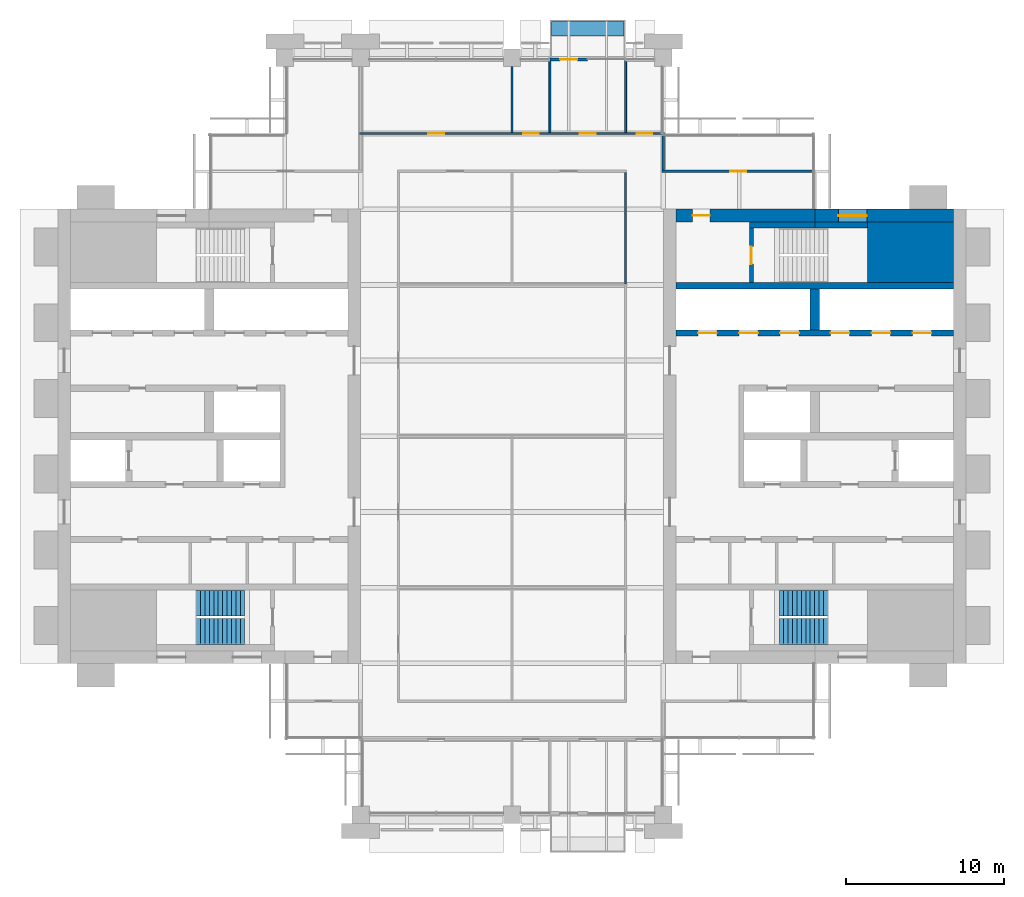
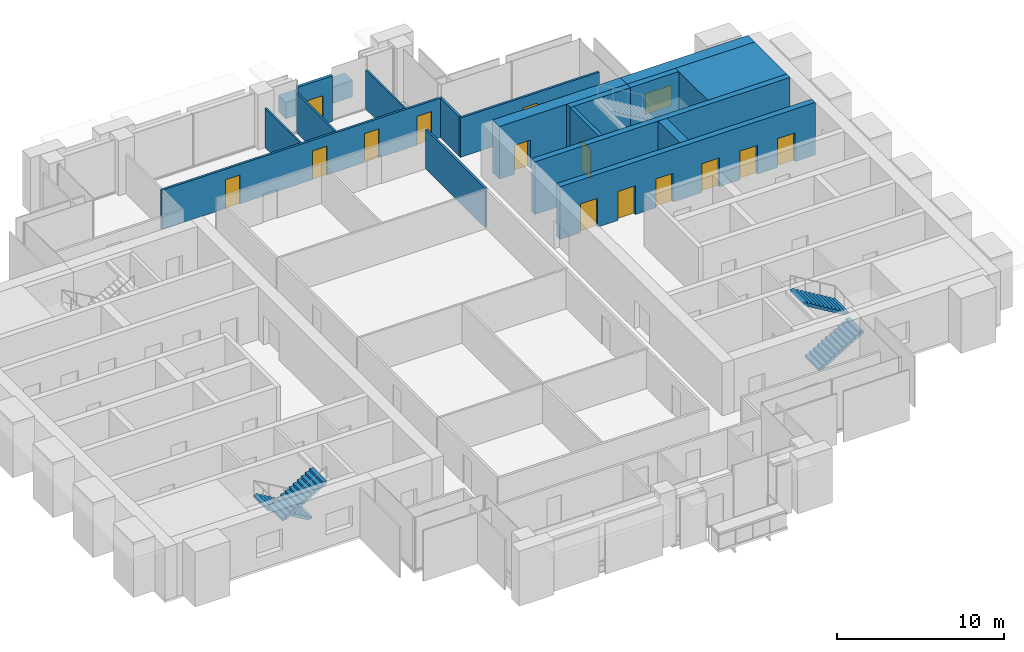
# One storey, part 11 of 14: 18 walls, 14 doors, 4 stair flights, 1 window, 15 openings, 2 elements without a shape of their own.
"""IFC4 building model written with IfcOpenShell, lengths in metres."""

from ifc_helpers import new_model, si_unit, direction, frame, frame_2d, origin, place, context, subcontext, project, spatial, polyline, rectangle, outline, extrude, material, layer, layer_set, type_object, element, fill, aggregate, save


model = new_model("IFC4")

# Units and contexts
model_context = context("Model", 3, precision=1e-05, world=origin(), true_north=direction((0.0, 1.0)))
body_context = subcontext(model_context, "Body", "Model", "MODEL_VIEW")
ifc_project = project(units=[si_unit("LENGTHUNIT", "METRE"), si_unit("AREAUNIT", "SQUARE_METRE"), si_unit("VOLUMEUNIT", "CUBIC_METRE"), si_unit("PLANEANGLEUNIT", "RADIAN"), si_unit("MASSUNIT", "GRAM", prefix="KILO")], contexts=[model_context])

# Site, building, storey
site_placement = place(None, origin())
site = spatial("IfcSite", under=ifc_project, at=site_placement, CompositionType="ELEMENT")
building_placement = place(site_placement, origin())
building = spatial("IfcBuilding", under=site, at=building_placement, Name="Baori Bourse Tower", CompositionType="ELEMENT")
storey_placement = place(building_placement, frame((0.0, 0.0, 221.199951171875)))
storey = spatial("IfcBuildingStorey", under=building, at=storey_placement, Name="L48", CompositionType="ELEMENT", Elevation=221.199951171875)

# Wall
ifc_material_1 = material(Name="Concrete f'c 50 MPa", Category="concrete")
wall_type_1 = type_object("IfcWallType", Name="Core corner block f'c 50", PredefinedType="SHEAR", material=ifc_material_1)
wall_1_placement = place(storey_placement, frame((51.35009765625, 35.675048828125, 0.0), z_axis=(0.0, 0.0, 1.0), x_axis=(1.0, 0.0, 0.0)))
element("IfcWall", 1, at=wall_1_placement, inside=storey, type_object=wall_type_1, Name="Core wall E24", PredefinedType="SHEAR", context=body_context, shape_type="SweptSolid", body=[
    extrude(rectangle(XDim=5.449951171875, YDim=3.85009765625, at=frame_2d((2.72509765625, 0.0))), origin(), (0.0, 0.0, 1.0), 3.840087890625),
])

# Wall, opening, window
ifc_material_2 = material(Name="Concrete f'c 50 MPa", Category="concrete")
ifc_layer_1 = layer(ifc_material_2, 0.800048828125)
ifc_layer_set_1 = layer_set([ifc_layer_1], Name="Core wall 800 f'c 50")
wall_type_2 = type_object("IfcWallType", Name="Core wall 800 f'c 50", PredefinedType="SHEAR", material=ifc_layer_set_1)
wall_2_placement = place(storey_placement, frame((48.0, 38.0, 0.0), z_axis=(0.0, 0.0, 1.0), x_axis=(1.0, 0.0, 0.0)))
wall_2 = element("IfcWall", 2, at=wall_2_placement, inside=storey, type_object=wall_type_2, Name="Core wall E28", PredefinedType="SHEAR", context=body_context, shape_type="SweptSolid", body=[
    extrude(rectangle(XDim=8.800048828125, YDim=0.800048828125, at=frame_2d((4.39990234375, 0.0))), origin(), (0.0, 0.0, 1.0), 3.840087890625),
])
opening_1_placement = place(wall_2_placement, frame((1.5, 0.0, 0.89990234375)))
opening_1 = element("IfcOpeningElement", 3, at=opening_1_placement, cuts=wall_2, Name="Opening L48-KW204", PredefinedType="OPENING", context=body_context, shape_type="SweptSolid", body=[
    extrude(rectangle(XDim=1.800048828125, YDim=1.5, at=frame_2d((0.89990234375, 0.75))), frame((0.0, 0.409912109375, 0.0), z_axis=(0.0, -1.0, 0.0), x_axis=(1.0, 0.0, 0.0)), (0.0, 0.0, 1.0), 0.820068359375),
])
ifc_material_3 = material(Name="Pale anodised aluminium", Category="aluminium")
window_type = type_object("IfcWindowType", Name="Stair window 1800 x 1500", PartitioningType="SINGLE_PANEL", PredefinedType="WINDOW", material=ifc_material_3)
window_placement = place(opening_1_placement, origin())
window = element("IfcWindow", 4, at=window_placement, inside=storey, type_object=window_type, Name="Stair window E L48 4", OverallHeight=1.5, OverallWidth=1.800048828125, PartitioningType="SINGLE_PANEL", PredefinedType="WINDOW", context=body_context, shape_type="SweptSolid", body=[
    extrude(rectangle(XDim=1.800048828125, YDim=1.5, at=frame_2d((0.89990234375, 0.75))), frame((0.0, 0.030029296875, 0.0), z_axis=(0.0, -1.0, 0.0), x_axis=(1.0, 0.0, 0.0)), (0.0, 0.0, 1.0), 0.06005859375),
])
fill(opening_1, window)

# Wall, opening, door
wall_3_placement = place(storey_placement, frame((39.199951171875, 38.0, 0.0), z_axis=(0.0, 0.0, 1.0), x_axis=(1.0, 0.0, 0.0)))
wall_3 = element("IfcWall", 5, at=wall_3_placement, inside=storey, type_object=wall_type_2, Name="Core wall E29", PredefinedType="SHEAR", context=body_context, shape_type="SweptSolid", body=[
    extrude(rectangle(XDim=8.800048828125, YDim=0.800048828125, at=frame_2d((4.39990234375, 0.0))), origin(), (0.0, 0.0, 1.0), 3.840087890625),
])
opening_2_placement = place(wall_3_placement, frame((1.050048828125, 0.0, 0.0)))
opening_2 = element("IfcOpeningElement", 6, at=opening_2_placement, cuts=wall_3, Name="Opening L48-D204", PredefinedType="OPENING", context=body_context, shape_type="SweptSolid", body=[
    extrude(rectangle(XDim=1.10009765625, YDim=2.10009765625, at=frame_2d((0.550048828125, 1.050048828125))), frame((0.0, 0.409912109375, 0.0), z_axis=(0.0, -1.0, 0.0), x_axis=(1.0, 0.0, 0.0)), (0.0, 0.0, 1.0), 0.820068359375),
])
ifc_material_4 = material(Name="Painted steel door", Category="steel")
door_type_1 = type_object("IfcDoorType", Name="Stair door 1100", OperationType="SINGLE_SWING_LEFT", PredefinedType="DOOR", material=ifc_material_4)
door_1_placement = place(opening_2_placement, origin())
door_1 = element("IfcDoor", 7, at=door_1_placement, inside=storey, type_object=door_type_1, Name="Stair vestibule door B E L48", OperationType="SINGLE_SWING_LEFT", OverallHeight=2.10009765625, OverallWidth=1.10009765625, PredefinedType="DOOR", context=body_context, shape_type="SweptSolid", body=[
    extrude(rectangle(XDim=1.10009765625, YDim=2.10009765625, at=frame_2d((0.550048828125, 1.050048828125))), frame((0.0, 0.02490234375, 0.0), z_axis=(0.0, -1.0, 0.0), x_axis=(1.0, 0.0, 0.0)), (0.0, 0.0, 1.0), 0.050048828125),
])
fill(opening_2, door_1)

ifc_material_5 = material(Name="Gypsum board partition")
ifc_layer_2 = layer(ifc_material_5, 0.14990234375)
ifc_layer_set_2 = layer_set([ifc_layer_2], Name="Corridor partition 150")
wall_type_3 = type_object("IfcWallType", Name="Corridor partition 150", PredefinedType="PARTITIONING", material=ifc_layer_set_2)
wall_4_placement = place(storey_placement, frame((38.324951171875, 40.800048828125, 0.0), z_axis=(0.0, 0.0, 1.0), x_axis=(1.0, 0.0, 0.0)))
wall_4 = element("IfcWall", 8, at=wall_4_placement, inside=storey, type_object=wall_type_3, Name="Partition", PredefinedType="PARTITIONING", context=body_context, shape_type="SweptSolid", body=[
    extrude(rectangle(XDim=9.574951171875, YDim=0.14990234375, at=frame_2d((4.78759765625, 0.0))), origin(), (0.0, 0.0, 1.0), 2.869873046875),
])
opening_3_placement = place(wall_4_placement, frame((4.324951171875, 0.0, 0.0)))
opening_3 = element("IfcOpeningElement", 9, at=opening_3_placement, cuts=wall_4, Name="Opening L48-D10", PredefinedType="OPENING", context=body_context, shape_type="SweptSolid", body=[
    extrude(rectangle(XDim=1.0, YDim=2.10009765625, at=frame_2d((0.5, 1.050048828125))), frame((0.0, 0.0849609375, 0.0), z_axis=(0.0, -1.0, 0.0), x_axis=(1.0, 0.0, 0.0)), (0.0, 0.0, 1.0), 0.169921875),
])
ifc_material_6 = material(Name="Timber door leaf", Category="wood")
door_type_2 = type_object("IfcDoorType", Name="Door 1000 x 2100", OperationType="SINGLE_SWING_LEFT", PredefinedType="DOOR", material=ifc_material_6)
door_2_placement = place(opening_3_placement, origin())
door_2 = element("IfcDoor", 10, at=door_2_placement, inside=storey, type_object=door_type_2, Name="Door", OperationType="SINGLE_SWING_LEFT", OverallHeight=2.10009765625, OverallWidth=1.0, PredefinedType="DOOR", context=body_context, shape_type="SweptSolid", body=[
    extrude(rectangle(XDim=1.0, YDim=2.10009765625, at=frame_2d((0.5, 1.050048828125))), frame((0.0, 0.02490234375, 0.0), z_axis=(0.0, -1.0, 0.0), x_axis=(1.0, 0.0, 0.0)), (0.0, 0.0, 1.0), 0.050048828125),
])
fill(opening_3, door_2)

# Wall, openings, doors
wall_5_placement = place(storey_placement, frame((19.125, 43.199951171875, 0.0), z_axis=(0.0, 0.0, 1.0), x_axis=(1.0, 0.0, 0.0)))
wall_5 = element("IfcWall", 11, at=wall_5_placement, inside=storey, type_object=wall_type_3, Name="Partition", PredefinedType="PARTITIONING", context=body_context, shape_type="SweptSolid", body=[
    extrude(rectangle(XDim=19.35009765625, YDim=0.14990234375, at=frame_2d((9.675048828125, 0.0))), origin(), (0.0, 0.0, 1.0), 2.869873046875),
])
opening_4_placement = place(wall_5_placement, frame((4.375, 0.0, 0.0)))
opening_4 = element("IfcOpeningElement", 12, at=opening_4_placement, cuts=wall_5, Name="Opening L48-D11", PredefinedType="OPENING", context=body_context, shape_type="SweptSolid", body=[
    extrude(rectangle(XDim=1.0, YDim=2.10009765625, at=frame_2d((0.5, 1.050048828125))), frame((0.0, 0.0849609375, 0.0), z_axis=(0.0, -1.0, 0.0), x_axis=(1.0, 0.0, 0.0)), (0.0, 0.0, 1.0), 0.169921875),
])
opening_5_placement = place(wall_5_placement, frame((10.375, 0.0, 0.0)))
opening_5 = element("IfcOpeningElement", 13, at=opening_5_placement, cuts=wall_5, Name="Opening L48-D12", PredefinedType="OPENING", context=body_context, shape_type="SweptSolid", body=[
    extrude(rectangle(XDim=1.0, YDim=2.10009765625, at=frame_2d((0.5, 1.050048828125))), frame((0.0, 0.0849609375, 0.0), z_axis=(0.0, -1.0, 0.0), x_axis=(1.0, 0.0, 0.0)), (0.0, 0.0, 1.0), 0.169921875),
])
opening_6_placement = place(wall_5_placement, frame((13.97509765625, 0.0, 0.0)))
opening_6 = element("IfcOpeningElement", 14, at=opening_6_placement, cuts=wall_5, Name="Opening L48-D13", PredefinedType="OPENING", context=body_context, shape_type="SweptSolid", body=[
    extrude(rectangle(XDim=1.0, YDim=2.10009765625, at=frame_2d((0.5, 1.050048828125))), frame((0.0, 0.0849609375, 0.0), z_axis=(0.0, -1.0, 0.0), x_axis=(1.0, 0.0, 0.0)), (0.0, 0.0, 1.0), 0.169921875),
])
opening_7_placement = place(wall_5_placement, frame((17.574951171875, 0.0, 0.0)))
opening_7 = element("IfcOpeningElement", 15, at=opening_7_placement, cuts=wall_5, Name="Opening L48-D14", PredefinedType="OPENING", context=body_context, shape_type="SweptSolid", body=[
    extrude(rectangle(XDim=1.0, YDim=2.10009765625, at=frame_2d((0.5, 1.050048828125))), frame((0.0, 0.0849609375, 0.0), z_axis=(0.0, -1.0, 0.0), x_axis=(1.0, 0.0, 0.0)), (0.0, 0.0, 1.0), 0.169921875),
])
door_3_placement = place(opening_4_placement, origin())
door_3 = element("IfcDoor", 16, at=door_3_placement, inside=storey, type_object=door_type_2, Name="Door", OperationType="SINGLE_SWING_RIGHT", OverallHeight=2.10009765625, OverallWidth=1.0, PredefinedType="DOOR", context=body_context, shape_type="SweptSolid", body=[
    extrude(rectangle(XDim=1.0, YDim=2.10009765625, at=frame_2d((0.5, 1.050048828125))), frame((0.0, 0.02490234375, 0.0), z_axis=(0.0, -1.0, 0.0), x_axis=(1.0, 0.0, 0.0)), (0.0, 0.0, 1.0), 0.050048828125),
])
fill(opening_4, door_3)
door_4_placement = place(opening_5_placement, origin())
door_4 = element("IfcDoor", 17, at=door_4_placement, inside=storey, type_object=door_type_2, Name="Door", OperationType="SINGLE_SWING_LEFT", OverallHeight=2.10009765625, OverallWidth=1.0, PredefinedType="DOOR", context=body_context, shape_type="SweptSolid", body=[
    extrude(rectangle(XDim=1.0, YDim=2.10009765625, at=frame_2d((0.5, 1.050048828125))), frame((0.0, 0.02490234375, 0.0), z_axis=(0.0, -1.0, 0.0), x_axis=(1.0, 0.0, 0.0)), (0.0, 0.0, 1.0), 0.050048828125),
])
fill(opening_5, door_4)
door_5_placement = place(opening_6_placement, origin())
door_5 = element("IfcDoor", 18, at=door_5_placement, inside=storey, type_object=door_type_2, Name="Door", OperationType="SINGLE_SWING_LEFT", OverallHeight=2.10009765625, OverallWidth=1.0, PredefinedType="DOOR", context=body_context, shape_type="SweptSolid", body=[
    extrude(rectangle(XDim=1.0, YDim=2.10009765625, at=frame_2d((0.5, 1.050048828125))), frame((0.0, 0.02490234375, 0.0), z_axis=(0.0, -1.0, 0.0), x_axis=(1.0, 0.0, 0.0)), (0.0, 0.0, 1.0), 0.050048828125),
])
fill(opening_6, door_5)
door_6_placement = place(opening_7_placement, origin())
door_6 = element("IfcDoor", 19, at=door_6_placement, inside=storey, type_object=door_type_2, Name="Door", OperationType="SINGLE_SWING_LEFT", OverallHeight=2.10009765625, OverallWidth=1.0, PredefinedType="DOOR", context=body_context, shape_type="SweptSolid", body=[
    extrude(rectangle(XDim=1.0, YDim=2.10009765625, at=frame_2d((0.5, 1.050048828125))), frame((0.0, 0.02490234375, 0.0), z_axis=(0.0, -1.0, 0.0), x_axis=(1.0, 0.0, 0.0)), (0.0, 0.0, 1.0), 0.050048828125),
])
fill(opening_7, door_6)

# Walls
wall_6_placement = place(storey_placement, frame((36.0, 33.66259765625, 0.0), z_axis=(0.0, 0.0, 1.0), x_axis=(0.0, 1.0, 0.0)))
element("IfcWall", 20, at=wall_6_placement, inside=storey, type_object=wall_type_3, Name="Partition", PredefinedType="PARTITIONING", context=body_context, shape_type="SweptSolid", body=[
    extrude(rectangle(XDim=7.0625, YDim=0.14990234375, at=frame_2d((3.53125, 0.0))), origin(), (0.0, 0.0, 1.0), 2.869873046875),
])
wall_7_placement = place(storey_placement, frame((38.39990234375, 40.875, 0.0), z_axis=(0.0, 0.0, 1.0), x_axis=(0.0, 1.0, 0.0)))
element("IfcWall", 21, at=wall_7_placement, inside=storey, type_object=wall_type_3, Name="Partition", PredefinedType="PARTITIONING", context=body_context, shape_type="SweptSolid", body=[
    extrude(rectangle(XDim=2.25, YDim=0.14990234375, at=frame_2d((1.125, 0.0))), origin(), (0.0, 0.0, 1.0), 2.869873046875),
])

# Wall, opening, door
ifc_material_7 = material(Name="Pale anodised aluminium", Category="aluminium")
ifc_layer_3 = layer(ifc_material_7, 0.199951171875)
ifc_layer_set_3 = layer_set([ifc_layer_3], Name="EW1 External wall bay")
wall_type_4 = type_object("IfcWallType", Name="EW1 External wall bay", PredefinedType="SOLIDWALL", material=ifc_layer_set_3)
wall_8_placement = place(storey_placement, frame((33.60009765625, 47.89990234375, 0.0), z_axis=(0.0, 0.0, 1.0), x_axis=(-1.0, 0.0, 0.0)))
wall_8 = element("IfcWall", 22, at=wall_8_placement, inside=storey, type_object=wall_type_4, Name="External wall bay L48 1", PredefinedType="SOLIDWALL", context=body_context, shape_type="SweptSolid", body=[
    extrude(rectangle(XDim=2.400146484375, YDim=0.199951171875, at=frame_2d((1.2001953125, 0.0))), origin(), (0.0, 0.0, 1.0), 3.314208984375),
])
opening_8_placement = place(wall_8_placement, frame((0.64990234375, 0.0, 0.0)))
opening_8 = element("IfcOpeningElement", 23, at=opening_8_placement, cuts=wall_8, Name="Opening L48-D91", PredefinedType="OPENING", context=body_context, shape_type="SweptSolid", body=[
    extrude(rectangle(XDim=1.10009765625, YDim=2.10009765625, at=frame_2d((0.550048828125, 1.050048828125))), frame((0.0, 0.10986328125, 0.0), z_axis=(0.0, -1.0, 0.0), x_axis=(1.0, 0.0, 0.0)), (0.0, 0.0, 1.0), 0.219970703125),
])
ifc_material_8 = material(Name="Pale anodised aluminium", Category="aluminium")
door_type_3 = type_object("IfcDoorType", Name="BL1 Balcony door", OperationType="SINGLE_SWING_LEFT", PredefinedType="DOOR", material=ifc_material_8)
door_7_placement = place(opening_8_placement, origin())
door_7 = element("IfcDoor", 24, at=door_7_placement, inside=storey, type_object=door_type_3, Name="Balcony door L48 1", OperationType="SINGLE_SWING_LEFT", OverallHeight=2.10009765625, OverallWidth=1.10009765625, PredefinedType="DOOR", context=body_context, shape_type="SweptSolid", body=[
    extrude(rectangle(XDim=1.10009765625, YDim=2.10009765625, at=frame_2d((0.550048828125, 1.050048828125))), frame((0.0, 0.02490234375, 0.0), z_axis=(0.0, -1.0, 0.0), x_axis=(1.0, 0.0, 0.0)), (0.0, 0.0, 1.0), 0.050048828125),
])
fill(opening_8, door_7)

# Walls
ifc_material_9 = material(Name="Concrete f'c 40 MPa", Category="concrete")
ifc_layer_4 = layer(ifc_material_9, 0.89990234375)
ifc_layer_set_4 = layer_set([ifc_layer_4], Name="PW1 Planter wall")
wall_type_5 = type_object("IfcWallType", Name="PW1 Planter wall", PredefinedType="USERDEFINED", material=ifc_layer_set_4)
wall_9_placement = place(storey_placement, frame((31.300048828125, 49.85009765625, 0.0), z_axis=(0.0, 0.0, 1.0), x_axis=(1.0, 0.0, 0.0)))
element("IfcWall", 25, at=wall_9_placement, inside=storey, type_object=wall_type_5, Name="Planter balcony N L48 2", ObjectType="PLANTER", PredefinedType="USERDEFINED", context=body_context, shape_type="SweptSolid", body=[
    extrude(rectangle(XDim=4.599853515625, YDim=0.89990234375, at=frame_2d((2.2998046875, 0.0))), origin(), (0.0, 0.0, 1.0), 1.199951171875),
])
ifc_material_10 = material(Name="Gypsum board partition")
ifc_layer_5 = layer(ifc_material_10, 0.125)
ifc_layer_set_5 = layer_set([ifc_layer_5], Name="Partition 125")
wall_type_6 = type_object("IfcWallType", Name="Partition 125", PredefinedType="PARTITIONING", material=ifc_layer_set_5)
wall_10_placement = place(storey_placement, frame((28.800048828125, 43.27490234375, 0.0), z_axis=(0.0, 0.0, 1.0), x_axis=(0.0, 1.0, 0.0)))
element("IfcWall", 26, at=wall_10_placement, inside=storey, type_object=wall_type_6, Name="Partition", PredefinedType="PARTITIONING", context=body_context, shape_type="SweptSolid", body=[
    extrude(rectangle(XDim=4.175048828125, YDim=0.125, at=frame_2d((2.08740234375, 0.0))), origin(), (0.0, 0.0, 1.0), 2.869873046875),
])
for number, where, z_axis, x_axis, name in (
    (27, (31.199951171875, 43.27490234375, 0.0), (0.0, 0.0, 1.0), (0.0, 1.0, 0.0), "Partition"),
    (28, (36.0, 43.27490234375, 0.0), (0.0, 0.0, 1.0), (0.0, 1.0, 0.0), "Partition"),
):
    element("IfcWall", number, at=place(storey_placement, frame(where, z_axis=z_axis, x_axis=x_axis)), inside=storey, type_object=wall_type_6, Name=name, PredefinedType="PARTITIONING", context=body_context, shape_type="SweptSolid", body=[
        extrude(rectangle(XDim=4.625, YDim=0.125, at=frame_2d((2.3125, 0.0))), origin(), (0.0, 0.0, 1.0), 2.869873046875),
    ])

# Wall, opening, door
ifc_material_11 = material(Name="Concrete f'c 50 MPa", Category="concrete")
ifc_layer_6 = layer(ifc_material_11, 0.25)
ifc_layer_set_6 = layer_set([ifc_layer_6], Name="Shaft wall 250 f'c 50")
wall_type_7 = type_object("IfcWallType", Name="Shaft wall 250 f'c 50", PredefinedType="SHEAR", material=ifc_layer_set_6)
wall_11_placement = place(storey_placement, frame((43.97509765625, 33.75, 0.0), z_axis=(0.0, 0.0, 1.0), x_axis=(0.0, 1.0, 0.0)))
wall_11 = element("IfcWall", 29, at=wall_11_placement, inside=storey, type_object=wall_type_7, Name="Core wall E25", PredefinedType="SHEAR", context=body_context, shape_type="SweptSolid", body=[
    extrude(rectangle(XDim=3.449951171875, YDim=0.25, at=frame_2d((1.72509765625, 0.0))), origin(), (0.0, 0.0, 1.0), 3.840087890625),
])
opening_9_placement = place(wall_11_placement, frame((1.175048828125, 0.0, 0.0)))
opening_9 = element("IfcOpeningElement", 30, at=opening_9_placement, cuts=wall_11, Name="Opening L48-D203", PredefinedType="OPENING", context=body_context, shape_type="SweptSolid", body=[
    extrude(rectangle(XDim=1.10009765625, YDim=2.10009765625, at=frame_2d((0.550048828125, 1.050048828125))), frame((0.0, 0.135009765625, 0.0), z_axis=(0.0, -1.0, 0.0), x_axis=(1.0, 0.0, 0.0)), (0.0, 0.0, 1.0), 0.27001953125),
])
door_8_placement = place(opening_9_placement, origin())
door_8 = element("IfcDoor", 31, at=door_8_placement, inside=storey, type_object=door_type_1, Name="Stair door B E L48", OperationType="SINGLE_SWING_LEFT", OverallHeight=2.10009765625, OverallWidth=1.10009765625, PredefinedType="DOOR", context=body_context, shape_type="SweptSolid", body=[
    extrude(rectangle(XDim=1.10009765625, YDim=2.10009765625, at=frame_2d((0.550048828125, 1.050048828125))), frame((0.0, 0.02490234375, 0.0), z_axis=(0.0, -1.0, 0.0), x_axis=(1.0, 0.0, 0.0)), (0.0, 0.0, 1.0), 0.050048828125),
])
fill(opening_9, door_8)

# Wall, openings, doors
ifc_material_12 = material(Name="Concrete f'c 50 MPa", Category="concrete")
ifc_layer_7 = layer(ifc_material_12, 0.39990234375)
ifc_layer_set_7 = layer_set([ifc_layer_7], Name="Shaft wall 400 f'c 50")
wall_type_8 = type_object("IfcWallType", Name="Shaft wall 400 f'c 50", PredefinedType="SHEAR", material=ifc_layer_set_7)
wall_12_placement = place(storey_placement, frame((39.199951171875, 30.550048828125, 0.0), z_axis=(0.0, 0.0, 1.0), x_axis=(1.0, 0.0, 0.0)))
wall_12 = element("IfcWall", 32, at=wall_12_placement, inside=storey, type_object=wall_type_8, Name="Core wall E21", PredefinedType="SHEAR", context=body_context, shape_type="SweptSolid", body=[
    extrude(rectangle(XDim=17.60009765625, YDim=0.39990234375, at=frame_2d((8.800048828125, 0.0))), origin(), (0.0, 0.0, 1.0), 3.840087890625),
])
opening_10_placement = place(wall_12_placement, frame((15.0, 0.0, 0.0)))
opening_10 = element("IfcOpeningElement", 33, at=opening_10_placement, cuts=wall_12, Name="Opening L48-D214", PredefinedType="OPENING", context=body_context, shape_type="SweptSolid", body=[
    extrude(rectangle(XDim=1.199951171875, YDim=2.10009765625, at=frame_2d((0.60009765625, 1.050048828125))), frame((0.0, 0.2099609375, 0.0), z_axis=(0.0, -1.0, 0.0), x_axis=(1.0, 0.0, 0.0)), (0.0, 0.0, 1.0), 0.419921875),
])
opening_11_placement = place(wall_12_placement, frame((12.39990234375, 0.0, 0.0)))
opening_11 = element("IfcOpeningElement", 34, at=opening_11_placement, cuts=wall_12, Name="Opening L48-D215", PredefinedType="OPENING", context=body_context, shape_type="SweptSolid", body=[
    extrude(rectangle(XDim=1.199951171875, YDim=2.10009765625, at=frame_2d((0.60009765625, 1.050048828125))), frame((0.0, 0.2099609375, 0.0), z_axis=(0.0, -1.0, 0.0), x_axis=(1.0, 0.0, 0.0)), (0.0, 0.0, 1.0), 0.419921875),
])
opening_12_placement = place(wall_12_placement, frame((9.800048828125, 0.0, 0.0)))
opening_12 = element("IfcOpeningElement", 35, at=opening_12_placement, cuts=wall_12, Name="Opening L48-D216", PredefinedType="OPENING", context=body_context, shape_type="SweptSolid", body=[
    extrude(rectangle(XDim=1.199951171875, YDim=2.10009765625, at=frame_2d((0.60009765625, 1.050048828125))), frame((0.0, 0.2099609375, 0.0), z_axis=(0.0, -1.0, 0.0), x_axis=(1.0, 0.0, 0.0)), (0.0, 0.0, 1.0), 0.419921875),
])
opening_13_placement = place(wall_12_placement, frame((6.60009765625, 0.0, 0.0)))
opening_13 = element("IfcOpeningElement", 36, at=opening_13_placement, cuts=wall_12, Name="Opening L48-D217", PredefinedType="OPENING", context=body_context, shape_type="SweptSolid", body=[
    extrude(rectangle(XDim=1.199951171875, YDim=2.10009765625, at=frame_2d((0.60009765625, 1.050048828125))), frame((0.0, 0.2099609375, 0.0), z_axis=(0.0, -1.0, 0.0), x_axis=(1.0, 0.0, 0.0)), (0.0, 0.0, 1.0), 0.419921875),
])
opening_14_placement = place(wall_12_placement, frame((4.0, 0.0, 0.0)))
opening_14 = element("IfcOpeningElement", 37, at=opening_14_placement, cuts=wall_12, Name="Opening L48-D218", PredefinedType="OPENING", context=body_context, shape_type="SweptSolid", body=[
    extrude(rectangle(XDim=1.199951171875, YDim=2.10009765625, at=frame_2d((0.60009765625, 1.050048828125))), frame((0.0, 0.2099609375, 0.0), z_axis=(0.0, -1.0, 0.0), x_axis=(1.0, 0.0, 0.0)), (0.0, 0.0, 1.0), 0.419921875),
])
opening_15_placement = place(wall_12_placement, frame((1.39990234375, 0.0, 0.0)))
opening_15 = element("IfcOpeningElement", 38, at=opening_15_placement, cuts=wall_12, Name="Opening L48-D219", PredefinedType="OPENING", context=body_context, shape_type="SweptSolid", body=[
    extrude(rectangle(XDim=1.199951171875, YDim=2.10009765625, at=frame_2d((0.60009765625, 1.050048828125))), frame((0.0, 0.2099609375, 0.0), z_axis=(0.0, -1.0, 0.0), x_axis=(1.0, 0.0, 0.0)), (0.0, 0.0, 1.0), 0.419921875),
])
ifc_material_13 = material(Name="Stainless steel door", Category="steel")
door_type_4 = type_object("IfcDoorType", Name="Lift landing door", OperationType="DOUBLE_DOOR_SLIDING", PredefinedType="DOOR", material=ifc_material_13)
door_9_placement = place(opening_10_placement, origin())
door_9 = element("IfcDoor", 39, at=door_9_placement, inside=storey, type_object=door_type_4, Name="Lift landing door HR1 E L48", OperationType="DOUBLE_DOOR_SLIDING", OverallHeight=2.10009765625, OverallWidth=1.199951171875, PredefinedType="DOOR", context=body_context, shape_type="SweptSolid", body=[
    extrude(rectangle(XDim=1.199951171875, YDim=2.10009765625, at=frame_2d((0.60009765625, 1.050048828125))), frame((0.0, 0.02490234375, 0.0), z_axis=(0.0, -1.0, 0.0), x_axis=(1.0, 0.0, 0.0)), (0.0, 0.0, 1.0), 0.050048828125),
])
fill(opening_10, door_9)
door_10_placement = place(opening_11_placement, origin())
door_10 = element("IfcDoor", 40, at=door_10_placement, inside=storey, type_object=door_type_4, Name="Lift landing door HR2 E L48", OperationType="DOUBLE_DOOR_SLIDING", OverallHeight=2.10009765625, OverallWidth=1.199951171875, PredefinedType="DOOR", context=body_context, shape_type="SweptSolid", body=[
    extrude(rectangle(XDim=1.199951171875, YDim=2.10009765625, at=frame_2d((0.60009765625, 1.050048828125))), frame((0.0, 0.02490234375, 0.0), z_axis=(0.0, -1.0, 0.0), x_axis=(1.0, 0.0, 0.0)), (0.0, 0.0, 1.0), 0.050048828125),
])
fill(opening_11, door_10)
door_11_placement = place(opening_12_placement, origin())
door_11 = element("IfcDoor", 41, at=door_11_placement, inside=storey, type_object=door_type_4, Name="Lift landing door HR3 E L48", OperationType="DOUBLE_DOOR_SLIDING", OverallHeight=2.10009765625, OverallWidth=1.199951171875, PredefinedType="DOOR", context=body_context, shape_type="SweptSolid", body=[
    extrude(rectangle(XDim=1.199951171875, YDim=2.10009765625, at=frame_2d((0.60009765625, 1.050048828125))), frame((0.0, 0.02490234375, 0.0), z_axis=(0.0, -1.0, 0.0), x_axis=(1.0, 0.0, 0.0)), (0.0, 0.0, 1.0), 0.050048828125),
])
fill(opening_12, door_11)
door_12_placement = place(opening_13_placement, origin())
door_12 = element("IfcDoor", 42, at=door_12_placement, inside=storey, type_object=door_type_4, Name="Lift landing door HR4 E L48", OperationType="DOUBLE_DOOR_SLIDING", OverallHeight=2.10009765625, OverallWidth=1.199951171875, PredefinedType="DOOR", context=body_context, shape_type="SweptSolid", body=[
    extrude(rectangle(XDim=1.199951171875, YDim=2.10009765625, at=frame_2d((0.60009765625, 1.050048828125))), frame((0.0, 0.02490234375, 0.0), z_axis=(0.0, -1.0, 0.0), x_axis=(1.0, 0.0, 0.0)), (0.0, 0.0, 1.0), 0.050048828125),
])
fill(opening_13, door_12)
door_13_placement = place(opening_14_placement, origin())
door_13 = element("IfcDoor", 43, at=door_13_placement, inside=storey, type_object=door_type_4, Name="Lift landing door HR5 E L48", OperationType="DOUBLE_DOOR_SLIDING", OverallHeight=2.10009765625, OverallWidth=1.199951171875, PredefinedType="DOOR", context=body_context, shape_type="SweptSolid", body=[
    extrude(rectangle(XDim=1.199951171875, YDim=2.10009765625, at=frame_2d((0.60009765625, 1.050048828125))), frame((0.0, 0.02490234375, 0.0), z_axis=(0.0, -1.0, 0.0), x_axis=(1.0, 0.0, 0.0)), (0.0, 0.0, 1.0), 0.050048828125),
])
fill(opening_14, door_13)
door_14_placement = place(opening_15_placement, origin())
door_14 = element("IfcDoor", 44, at=door_14_placement, inside=storey, type_object=door_type_4, Name="Lift landing door HR6 E L48", OperationType="DOUBLE_DOOR_SLIDING", OverallHeight=2.10009765625, OverallWidth=1.199951171875, PredefinedType="DOOR", context=body_context, shape_type="SweptSolid", body=[
    extrude(rectangle(XDim=1.199951171875, YDim=2.10009765625, at=frame_2d((0.60009765625, 1.050048828125))), frame((0.0, 0.02490234375, 0.0), z_axis=(0.0, -1.0, 0.0), x_axis=(1.0, 0.0, 0.0)), (0.0, 0.0, 1.0), 0.050048828125),
])
fill(opening_15, door_14)

# Walls
wall_13_placement = place(storey_placement, frame((39.199951171875, 33.550048828125, 0.0), z_axis=(0.0, 0.0, 1.0), x_axis=(1.0, 0.0, 0.0)))
element("IfcWall", 45, at=wall_13_placement, inside=storey, type_object=wall_type_8, Name="Core wall E23", PredefinedType="SHEAR", context=body_context, shape_type="SweptSolid", body=[
    extrude(rectangle(XDim=17.60009765625, YDim=0.39990234375, at=frame_2d((8.800048828125, 0.0))), origin(), (0.0, 0.0, 1.0), 3.840087890625),
])
wall_14_placement = place(storey_placement, frame((48.0, 37.39990234375, 0.0), z_axis=(0.0, 0.0, 1.0), x_axis=(1.0, 0.0, 0.0)))
element("IfcWall", 46, at=wall_14_placement, inside=storey, type_object=wall_type_8, Name="Core wall E26", PredefinedType="SHEAR", context=body_context, shape_type="SweptSolid", body=[
    extrude(rectangle(XDim=3.35009765625, YDim=0.39990234375, at=frame_2d((1.675048828125, 0.0))), origin(), (0.0, 0.0, 1.0), 3.840087890625),
])
wall_15_placement = place(storey_placement, frame((43.85009765625, 37.39990234375, 0.0), z_axis=(0.0, 0.0, 1.0), x_axis=(1.0, 0.0, 0.0)))
element("IfcWall", 47, at=wall_15_placement, inside=storey, type_object=wall_type_8, Name="Core wall E27", PredefinedType="SHEAR", context=body_context, shape_type="SweptSolid", body=[
    extrude(rectangle(XDim=4.14990234375, YDim=0.39990234375, at=frame_2d((2.074951171875, 0.0))), origin(), (0.0, 0.0, 1.0), 3.840087890625),
])
ifc_material_14 = material(Name="Concrete f'c 50 MPa", Category="concrete")
ifc_layer_8 = layer(ifc_material_14, 0.60009765625)
ifc_layer_set_8 = layer_set([ifc_layer_8], Name="Shaft wall 600 f'c 50")
wall_type_9 = type_object("IfcWallType", Name="Shaft wall 600 f'c 50", PredefinedType="SHEAR", material=ifc_layer_set_8)
wall_16_placement = place(storey_placement, frame((48.0, 30.75, 0.0), z_axis=(0.0, 0.0, 1.0), x_axis=(0.0, 1.0, 0.0)))
element("IfcWall", 48, at=wall_16_placement, inside=storey, type_object=wall_type_9, Name="Core wall E22", PredefinedType="SHEAR", context=body_context, shape_type="SweptSolid", body=[
    extrude(rectangle(XDim=2.60009765625, YDim=0.60009765625, at=frame_2d((1.300048828125, 0.0))), origin(), (0.0, 0.0, 1.0), 3.840087890625),
])

# Stair, stair flights
ifc_material_15 = material(Name="Concrete f'c 50 MPa", Category="concrete")
stair_type = type_object("IfcStairType", Name="Core stair", PredefinedType="HALF_TURN_STAIR", material=ifc_material_15)
stair_1_placement = place(storey_placement, origin())
stair_1 = element("IfcStair", 49, at=stair_1_placement, inside=storey, type_object=stair_type, Name="L48 Stair WA", PredefinedType="HALF_TURN_STAIR")
ifc_material_16 = material(Name="Concrete f'c 50 MPa", Category="concrete")
stair_flight_type = type_object("IfcStairFlightType", Name="Core stair flight", PredefinedType="STRAIGHT", material=ifc_material_16)
stair_flight_1_placement = place(storey_placement, frame((11.85009765625, 13.425048828125, 0.0), z_axis=(0.0, 0.0, 1.0), x_axis=(-1.0, 0.0, 0.0)))
stair_flight_1 = element("IfcStairFlight", 50, at=stair_flight_1_placement, type_object=stair_flight_type, Name="ST1 flight 1", NumberOfRisers=12, NumberOfTreads=11, PredefinedType="STRAIGHT", RiserHeight=0.166666667, TreadLength=0.28, context=body_context, shape_type="SweptSolid", body=[
    extrude(outline(polyline([(0.0, 0.0), (0.0, 0.166748046875), (0.280029296875, 0.166748046875), (0.280029296875, 0.333251953125), (0.56005859375, 0.333251953125), (0.56005859375, 0.5), (0.840087890625, 0.5), (0.840087890625, 0.666748046875), (1.1201171875, 0.666748046875), (1.1201171875, 0.833251953125), (1.39990234375, 0.833251953125), (1.39990234375, 1.0), (1.679931640625, 1.0), (1.679931640625, 1.166748046875), (1.9599609375, 1.166748046875), (1.9599609375, 1.333251953125), (2.239990234375, 1.333251953125), (2.239990234375, 1.5), (2.52001953125, 1.5), (2.52001953125, 1.666748046875), (2.800048828125, 1.666748046875), (2.800048828125, 1.833251953125), (3.080078125, 1.833251953125), (3.080078125, 2.0), (3.080078125, 1.658935546875), (0.29296875, 0.0), (0.0, 0.0)])), frame((0.0, 0.824951171875, 0.0), z_axis=(0.0, -1.0, 0.0), x_axis=(1.0, 0.0, 0.0)), (0.0, 0.0, 1.0), 1.64990234375),
])
stair_flight_2_placement = place(storey_placement, frame((8.77001953125, 11.625, 2.0), z_axis=(0.0, 0.0, 1.0), x_axis=(1.0, 0.0, 0.0)))
stair_flight_2 = element("IfcStairFlight", 51, at=stair_flight_2_placement, type_object=stair_flight_type, Name="ST1 flight 2", NumberOfRisers=12, NumberOfTreads=11, PredefinedType="STRAIGHT", RiserHeight=0.166666667, TreadLength=0.28, context=body_context, shape_type="SweptSolid", body=[
    extrude(outline(polyline([(0.0, 0.0), (0.0, 0.166748046875), (0.280029296875, 0.166748046875), (0.280029296875, 0.333251953125), (0.56005859375, 0.333251953125), (0.56005859375, 0.5), (0.840087890625, 0.5), (0.840087890625, 0.666748046875), (1.1201171875, 0.666748046875), (1.1201171875, 0.833251953125), (1.39990234375, 0.833251953125), (1.39990234375, 1.0), (1.679931640625, 1.0), (1.679931640625, 1.166748046875), (1.9599609375, 1.166748046875), (1.9599609375, 1.333251953125), (2.239990234375, 1.333251953125), (2.239990234375, 1.5), (2.52001953125, 1.5), (2.52001953125, 1.666748046875), (2.800048828125, 1.666748046875), (2.800048828125, 1.833251953125), (3.080078125, 1.833251953125), (3.080078125, 2.0), (3.080078125, 1.658935546875), (0.29296875, 0.0), (0.0, 0.0)])), frame((0.0, 0.824951171875, 0.0), z_axis=(0.0, -1.0, 0.0), x_axis=(1.0, 0.0, 0.0)), (0.0, 0.0, 1.0), 1.64990234375),
])
aggregate(stair_1, [stair_flight_1, stair_flight_2])

stair_2_placement = place(storey_placement, origin())
stair_2 = element("IfcStair", 52, at=stair_2_placement, inside=storey, type_object=stair_type, Name="L48 Stair EA", PredefinedType="HALF_TURN_STAIR")
stair_flight_3_placement = place(storey_placement, frame((45.75, 11.625, 0.0), z_axis=(0.0, 0.0, 1.0), x_axis=(1.0, 0.0, 0.0)))
stair_flight_3 = element("IfcStairFlight", 53, at=stair_flight_3_placement, type_object=stair_flight_type, Name="ST3 flight 1", NumberOfRisers=12, NumberOfTreads=11, PredefinedType="STRAIGHT", RiserHeight=0.166666667, TreadLength=0.28, context=body_context, shape_type="SweptSolid", body=[
    extrude(outline(polyline([(0.0, 0.0), (0.0, 0.166748046875), (0.280029296875, 0.166748046875), (0.280029296875, 0.333251953125), (0.56005859375, 0.333251953125), (0.56005859375, 0.5), (0.840087890625, 0.5), (0.840087890625, 0.666748046875), (1.1201171875, 0.666748046875), (1.1201171875, 0.833251953125), (1.39990234375, 0.833251953125), (1.39990234375, 1.0), (1.679931640625, 1.0), (1.679931640625, 1.166748046875), (1.9599609375, 1.166748046875), (1.9599609375, 1.333251953125), (2.239990234375, 1.333251953125), (2.239990234375, 1.5), (2.52001953125, 1.5), (2.52001953125, 1.666748046875), (2.800048828125, 1.666748046875), (2.800048828125, 1.833251953125), (3.080078125, 1.833251953125), (3.080078125, 2.0), (3.080078125, 1.658935546875), (0.29296875, 0.0), (0.0, 0.0)])), frame((0.0, 0.824951171875, 0.0), z_axis=(0.0, -1.0, 0.0), x_axis=(1.0, 0.0, 0.0)), (0.0, 0.0, 1.0), 1.64990234375),
])
stair_flight_4_placement = place(storey_placement, frame((48.830078125, 13.425048828125, 2.0), z_axis=(0.0, 0.0, 1.0), x_axis=(-1.0, 0.0, 0.0)))
stair_flight_4 = element("IfcStairFlight", 54, at=stair_flight_4_placement, type_object=stair_flight_type, Name="ST3 flight 2", NumberOfRisers=12, NumberOfTreads=11, PredefinedType="STRAIGHT", RiserHeight=0.166666667, TreadLength=0.28, context=body_context, shape_type="SweptSolid", body=[
    extrude(outline(polyline([(0.0, 0.0), (0.0, 0.166748046875), (0.280029296875, 0.166748046875), (0.280029296875, 0.333251953125), (0.56005859375, 0.333251953125), (0.56005859375, 0.5), (0.840087890625, 0.5), (0.840087890625, 0.666748046875), (1.1201171875, 0.666748046875), (1.1201171875, 0.833251953125), (1.39990234375, 0.833251953125), (1.39990234375, 1.0), (1.679931640625, 1.0), (1.679931640625, 1.166748046875), (1.9599609375, 1.166748046875), (1.9599609375, 1.333251953125), (2.239990234375, 1.333251953125), (2.239990234375, 1.5), (2.52001953125, 1.5), (2.52001953125, 1.666748046875), (2.800048828125, 1.666748046875), (2.800048828125, 1.833251953125), (3.080078125, 1.833251953125), (3.080078125, 2.0), (3.080078125, 1.658935546875), (0.29296875, 0.0), (0.0, 0.0)])), frame((0.0, 0.824951171875, 0.0), z_axis=(0.0, -1.0, 0.0), x_axis=(1.0, 0.0, 0.0)), (0.0, 0.0, 1.0), 1.64990234375),
])
aggregate(stair_2, [stair_flight_3, stair_flight_4])

save(model, "model.ifc")
